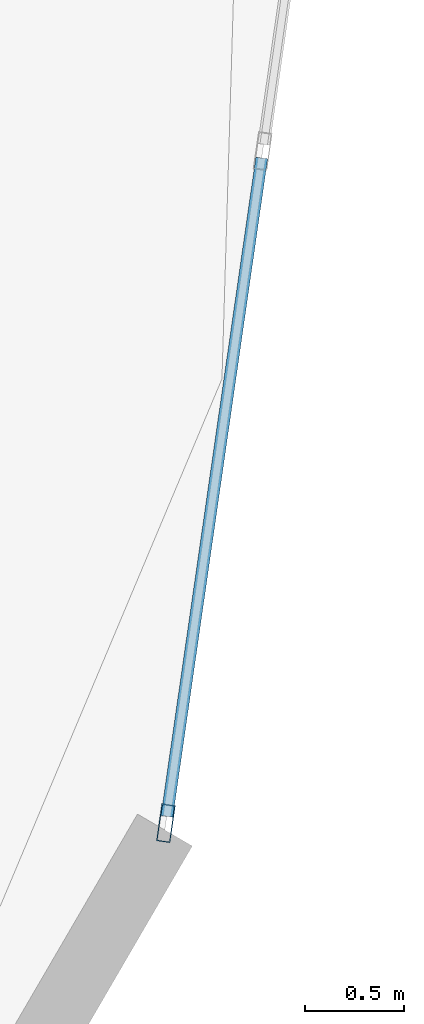
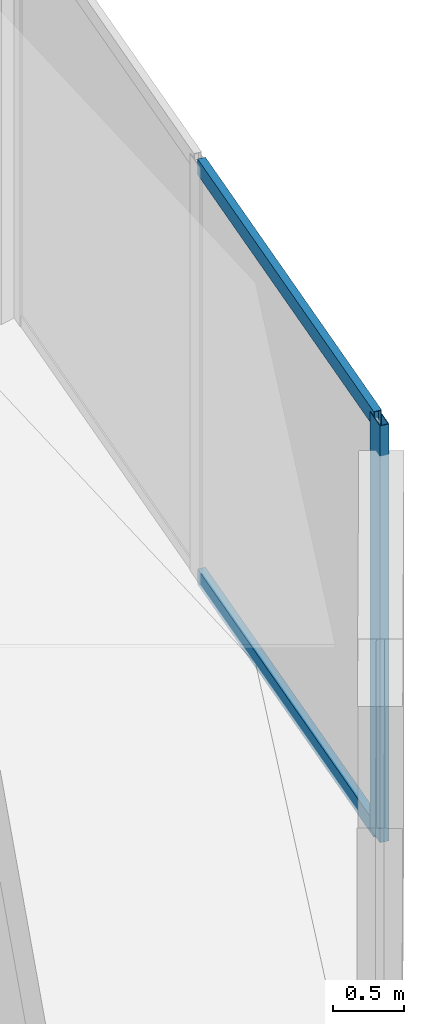
# One storey, part 12 of 26: 3 members, 1 element without a shape of its own.
"""IFC4 building model written with IfcOpenShell, lengths in metres."""

from ifc_helpers import new_model, si_unit, direction, frame, origin, origin_2d, place, context, subcontext, project, spatial, hollow_rectangle, extrude, source, transform, mapped, material, layer, layer_set, material_profile, profile_set, type_object, element, aggregate, save


model = new_model("IFC4")

# Units and contexts
model_context = context("Model", 3, precision=1e-05, world=origin(), true_north=direction((0.0, 1.0)))
body_context = subcontext(model_context, "Body", "Model", "MODEL_VIEW")
ifc_project = project(units=[si_unit("LENGTHUNIT", "METRE"), si_unit("AREAUNIT", "SQUARE_METRE"), si_unit("VOLUMEUNIT", "CUBIC_METRE"), si_unit("PLANEANGLEUNIT", "RADIAN"), si_unit("MASSUNIT", "GRAM", prefix="KILO")], contexts=[model_context])

# Site, building, storey
site_placement = place(None, origin())
site = spatial("IfcSite", under=ifc_project, at=site_placement, CompositionType="ELEMENT")
building_placement = place(site_placement, origin())
building = spatial("IfcBuilding", under=site, at=building_placement, Name="Solvirekh Grand Hotel", CompositionType="ELEMENT")
storey_placement = place(building_placement, frame((0.0, 0.0, 71.60009765625)))
storey = spatial("IfcBuildingStorey", under=building, at=storey_placement, Name="L17", CompositionType="ELEMENT", Elevation=71.60009765625)

# Curtain wall, members
ifc_material = material(Name="Anodized Bronze Aluminium 6063-T6", Category="aluminium")
ifc_layer = layer(ifc_material, 0.18994140625)
ifc_layer_set = layer_set([ifc_layer], Name="Anodized Bronze Aluminium 6063-T6")
curtain_wall_type = type_object("IfcCurtainWallType", Name="CW_Sys2_LowZoneFlushBronzeCW", PredefinedType="NOTDEFINED", material=ifc_layer_set)
curtain_wall_placement = place(storey_placement, origin())
curtain_wall = element("IfcCurtainWall", 1, at=curtain_wall_placement, inside=storey, type_object=curtain_wall_type, Name="L17 unitised bronze-glass curtain wall CW-L17-C01", PredefinedType="NOTDEFINED")
ifc_material_profile_1 = material_profile(ifc_material, hollow_rectangle(XDim=0.06005859375, YDim=0.135009765625, WallThickness=0.00390625, at=origin_2d()), Name="ALU RHS 135X60X4")
ifc_profile_set_1 = profile_set([ifc_material_profile_1], Name="Anodized Bronze Aluminium 6063-T6")
member_type_1 = type_object("IfcMemberType", Name="CWTransom_Sys2", PredefinedType="USERDEFINED", material=ifc_profile_set_1)
shared_shape_1 = source(origin(), body_context, "Body", "SweptSolid", [
    extrude(hollow_rectangle(XDim=0.06005859375, YDim=0.135009765625, WallThickness=0.00390625, at=origin_2d()), origin(), (0.0, 0.0, 1.0), 3.357666015625),
])
member_1_placement = place(storey_placement, frame((24.35791015625, -8.809814453125, 0.02978515625), z_axis=(0.142663185419, 0.989771294556, 0.0), x_axis=(-0.989771294556, 0.142663185419, 0.0)))
member_1 = element("IfcMember", 2, at=member_1_placement, type_object=member_type_1, Name="U02 transom 1.1", ObjectType="TRANSOM", PredefinedType="USERDEFINED", context=body_context, shape_type="MappedRepresentation", body=[
    mapped(shared_shape_1, transform((0.0, 0.0, 0.0), x_axis=(1.0, 0.0, 0.0), y_axis=(0.0, 1.0, 0.0), z_axis=(0.0, 0.0, 1.0), scale=1.0)),
])
member_2_placement = place(storey_placement, frame((24.35791015625, -8.809814453125, 3.56982421875), z_axis=(0.142663185419, 0.989771294556, 0.0), x_axis=(-0.989771294556, 0.142663185419, 0.0)))
member_2 = element("IfcMember", 3, at=member_2_placement, type_object=member_type_1, Name="U02 transom 1.2", ObjectType="TRANSOM", PredefinedType="USERDEFINED", context=body_context, shape_type="MappedRepresentation", body=[
    mapped(shared_shape_1, transform((0.0, 0.0, 0.0), x_axis=(1.0, 0.0, 0.0), y_axis=(0.0, 1.0, 0.0), z_axis=(0.0, 0.0, 1.0), scale=1.0)),
])
ifc_material_profile_2 = material_profile(ifc_material, hollow_rectangle(XDim=0.070068359375, YDim=0.18994140625, WallThickness=0.0048828125, at=origin_2d()), Name="ALU RHS 190X70X5")
ifc_profile_set_2 = profile_set([ifc_material_profile_2], Name="Anodized Bronze Aluminium 6063-T6")
member_type_2 = type_object("IfcMemberType", Name="CWMullion_Sys2", PredefinedType="MULLION", material=ifc_profile_set_2)
shared_shape_2 = source(origin(), body_context, "Body", "SweptSolid", [
    extrude(hollow_rectangle(XDim=0.070068359375, YDim=0.18994140625, WallThickness=0.0048828125, at=origin_2d()), origin(), (0.0, 0.0, 1.0), 3.599853515625),
])
member_3_placement = place(storey_placement, frame((24.35302734375, -8.84423828125, 0.0), z_axis=(0.0, 0.0, 1.0), x_axis=(-0.989769634692, 0.142674700774, 0.0)))
member_3 = element("IfcMember", 4, at=member_3_placement, type_object=member_type_2, Name="U02 mullion 1", PredefinedType="MULLION", context=body_context, shape_type="MappedRepresentation", body=[
    mapped(shared_shape_2, transform((0.0, 0.0, 0.0), x_axis=(1.0, 0.0, 0.0), y_axis=(0.0, 1.0, 0.0), z_axis=(0.0, 0.0, 1.0), scale=1.0)),
])
aggregate(curtain_wall, [member_3, member_1, member_2])

save(model, "model.ifc")
